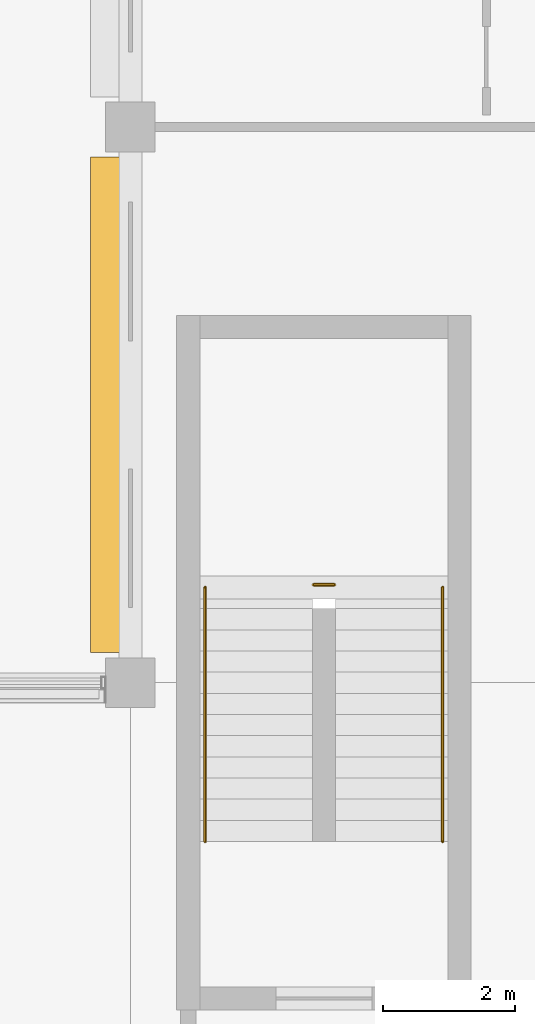
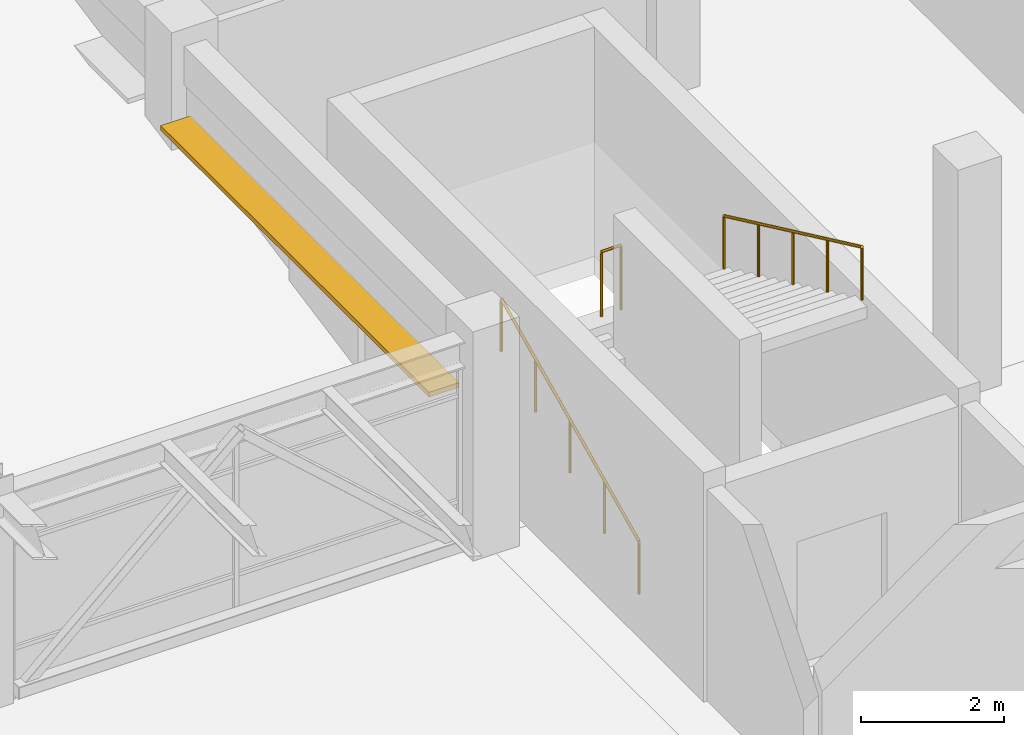
# One storey, part 68 of 72: 3 railings, 1 shading device.
"""IFC4 building model written with IfcOpenShell, lengths in metres."""

import ifcopenshell
import ifcopenshell.guid

model = None  # the IFC model being written
_history = None  # IfcOwnerHistory: only IFC2X3 demands one
_inside = {}  # id of a spatial element -> (the spatial element, [elements in it])
_under = {}  # id of a project, library or spatial element -> (it, [spatial elements below it])
_declared = {}  # id of a project -> (the project, [libraries it declares])
_typed = {}  # id of a type object -> (the type object, [elements of that type])
_made_of = {}  # id of a material, layer set ... -> (it, [elements and type objects made of it])


def new_model(schema):
    """Start an empty IFC model of exactly this schema.

    Asked for "IFC4X3", IfcOpenShell would pick the latest addendum, in which some entities
    have other attributes; the version numbers below select the first issue.
    IFC2X3 requires an IfcOwnerHistory on every rooted entity: one is made here for all.
    """
    global model, _history
    if schema == "IFC4X3":
        model = ifcopenshell.file(schema_version=(4, 3, 0, 0))
    else:
        model = ifcopenshell.file(schema=schema)
    _inside.clear()
    _under.clear()
    _declared.clear()
    _typed.clear()
    _made_of.clear()
    _history = None
    if model.schema == "IFC2X3":
        org = make("IfcOrganization", Name="unknown")
        user = make(
            "IfcPersonAndOrganization",
            ThePerson=make("IfcPerson", FamilyName="unknown"),
            TheOrganization=org,
        )
        app = make(
            "IfcApplication",
            ApplicationDeveloper=org,
            Version="unknown",
            ApplicationFullName="unknown",
            ApplicationIdentifier="unknown",
        )
        _history = make(
            "IfcOwnerHistory",
            OwningUser=user,
            OwningApplication=app,
            ChangeAction="ADDED",
            CreationDate=0,
        )
    return model


def make(cls, **values):
    """One entity of the class cls with the attributes given. An attribute that is None is left unset."""
    return model.create_entity(
        cls, **{name: value for name, value in values.items() if value is not None}
    )


def rooted(cls, **values):
    """An entity with a GlobalId (a new one), such as an element, a storey or a relation."""
    return make(cls, GlobalId=ifcopenshell.guid.new(), OwnerHistory=_history, **values)


def si_unit(unit_type, name, prefix=None):
    """IfcSIUnit, for example si_unit("LENGTHUNIT", "METRE", prefix="MILLI")."""
    return make("IfcSIUnit", UnitType=unit_type, Prefix=prefix, Name=name)


def assignment(units):
    """IfcUnitAssignment: the units of a project."""
    return None if units is None else make("IfcUnitAssignment", Units=units)


def point(xyz):
    """IfcCartesianPoint."""
    return None if xyz is None else make("IfcCartesianPoint", Coordinates=xyz)


def direction(xyz):
    """IfcDirection."""
    return None if xyz is None else make("IfcDirection", DirectionRatios=xyz)


def frame(location, z_axis=None, x_axis=None):
    """IfcAxis2Placement3D, a coordinate frame: its origin and axes. An axis left out is left unset."""
    return make(
        "IfcAxis2Placement3D",
        Location=point(location),
        Axis=direction(z_axis),
        RefDirection=direction(x_axis),
    )


def frame_2d(location, x_axis=None):
    """IfcAxis2Placement2D, a coordinate frame in the plane: its origin and x axis."""
    return make(
        "IfcAxis2Placement2D", Location=point(location), RefDirection=direction(x_axis)
    )


def origin():
    """The frame at (0, 0, 0) with its axes left unset."""
    return frame((0.0, 0.0, 0.0))


def origin_2d():
    """The frame at (0, 0) in the plane with its x axis left unset."""
    return frame_2d((0.0, 0.0))


def place(relative_to, where):
    """IfcLocalPlacement: puts the frame where relative to a parent placement (None: the world)."""
    return make(
        "IfcLocalPlacement", PlacementRelTo=relative_to, RelativePlacement=where
    )


def context(
    kind, dimensions, precision=None, world=None, true_north=None, identifier=None
):
    """IfcGeometricRepresentationContext, for example the 3D "Model" context."""
    return make(
        "IfcGeometricRepresentationContext",
        ContextIdentifier=identifier,
        ContextType=kind,
        CoordinateSpaceDimension=dimensions,
        Precision=precision,
        WorldCoordinateSystem=world,
        TrueNorth=true_north,
    )


def subcontext(parent, identifier, kind, view, scale=None):
    """IfcGeometricRepresentationSubContext, for example "Body" below "Model"."""
    return make(
        "IfcGeometricRepresentationSubContext",
        ContextIdentifier=identifier,
        ContextType=kind,
        ParentContext=parent,
        TargetScale=scale,
        TargetView=view,
    )


def project(units=None, contexts=None):
    """IfcProject with its units and contexts."""
    return rooted(
        "IfcProject",
        Name="project",
        RepresentationContexts=contexts,
        UnitsInContext=assignment(units),
    )


def spatial(cls, under=None, at=None, **own):
    """A site, building, storey or space (cls), placed at a placement, below another one or the project."""
    s = rooted(cls, ObjectPlacement=at, **own)
    if under is not None:
        _under.setdefault(under.id(), (under, []))[1].append(s)
    return s


def profile(cls, at=None, kind="AREA", **sizes):
    """A parametric profile (cls). Its sizes go by their IFC names, for example OverallWidth=200.0."""
    return make(cls, ProfileType=kind, Position=at, **sizes)


def rectangle(**sizes):
    """IfcRectangleProfileDef."""
    return profile("IfcRectangleProfileDef", **sizes)


def circle(**sizes):
    """IfcCircleProfileDef."""
    return profile("IfcCircleProfileDef", **sizes)


def extrude(swept, where, along, depth):
    """IfcExtrudedAreaSolid: the profile swept, set in the frame where, extruded along a direction by depth."""
    return make(
        "IfcExtrudedAreaSolid",
        SweptArea=swept,
        Position=where,
        ExtrudedDirection=direction(along),
        Depth=depth,
    )


def shape(context_of_items, identifier, shape_type, items):
    """IfcShapeRepresentation: the items that make up one representation, for example the "Body"."""
    return make(
        "IfcShapeRepresentation",
        ContextOfItems=context_of_items,
        RepresentationIdentifier=identifier,
        RepresentationType=shape_type,
        Items=items,
    )


def material(Name=None, Category=None):
    """IfcMaterial."""
    return make("IfcMaterial", Name=Name, Category=Category)


def layer(
    of_material, thickness, ventilated=None, Name=None, Category=None, Priority=None
):
    """IfcMaterialLayer: one layer of a wall or slab, of a material (None: an air gap)."""
    return make(
        "IfcMaterialLayer",
        Material=of_material,
        LayerThickness=thickness,
        IsVentilated=ventilated,
        Name=Name,
        Category=Category,
        Priority=Priority,
    )


def layer_set(layers, Name=None):
    """IfcMaterialLayerSet."""
    return make("IfcMaterialLayerSet", MaterialLayers=layers, LayerSetName=Name)


def made_of(thing, what):
    """Note that an element or type object is made of a material, layer set ...; save() writes the relation."""
    if what is not None:
        _made_of.setdefault(what.id(), (what, []))[1].append(thing)
    return thing


def type_object(cls, material=None, **own):
    """A type object (cls), such as IfcWallType, which elements share."""
    return made_of(rooted(cls, **own), material)


def element(
    cls,
    number,
    at=None,
    inside=None,
    cuts=None,
    type_object=None,
    material=None,
    context=None,
    identifier="Body",
    shape_type=None,
    held_by="IfcProductDefinitionShape",
    body=None,
    shapes=None,
    **own,
):
    """One element of the class cls, such as IfcWall. Its Tag is "e" and its number.

    at: its placement. inside: the storey or other place that contains it. cuts: it is an
    opening in that element (IfcRelVoidsElement). A single representation is given by context,
    identifier, shape_type and body (its items); several are given by shapes. held_by: the class
    of the entity that holds the representations. save() writes the other relations.
    """
    e = rooted(cls, Tag="e%d" % number, ObjectPlacement=at, **own)
    if body is not None:
        shapes = [shape(context, identifier, shape_type, body)]
    if shapes is not None:
        e.Representation = make(held_by, Representations=shapes)
    if inside is not None:
        _inside.setdefault(inside.id(), (inside, []))[1].append(e)
    if cuts is not None:
        rooted(
            "IfcRelVoidsElement", RelatingBuildingElement=cuts, RelatedOpeningElement=e
        )
    if type_object is not None:
        _typed.setdefault(type_object.id(), (type_object, []))[1].append(e)
    return made_of(e, material)


def aggregate(whole, parts):
    """IfcRelAggregates: a whole, such as a stair, and the parts it consists of."""
    return rooted("IfcRelAggregates", RelatingObject=whole, RelatedObjects=parts)


def save(model, path):
    """Write the relations noted so far, then the file.

    IfcRelAggregates (storeys below a building ...), IfcRelContainedInSpatialStructure (elements
    in a storey), IfcRelDefinesByType, IfcRelAssociatesMaterial and IfcRelDeclares: one each for
    every whole, place, type object, material and project.
    """
    for whole, parts in _under.values():
        aggregate(whole, parts)
    for where, things in _inside.values():
        rooted(
            "IfcRelContainedInSpatialStructure",
            RelatedElements=things,
            RelatingStructure=where,
        )
    for kind, things in _typed.values():
        rooted("IfcRelDefinesByType", RelatedObjects=things, RelatingType=kind)
    for what, things in _made_of.values():
        rooted("IfcRelAssociatesMaterial", RelatedObjects=things, RelatingMaterial=what)
    for by, libraries in _declared.values():
        rooted("IfcRelDeclares", RelatingContext=by, RelatedDefinitions=libraries)
    model.write(path)


model = new_model("IFC4")

# Units and contexts
model_context = context("Model", 3, precision=1e-05, world=origin(), true_north=direction((0.0, 1.0)))
body_context = subcontext(model_context, "Body", "Model", "MODEL_VIEW")
ifc_project = project(units=[si_unit("LENGTHUNIT", "METRE"), si_unit("AREAUNIT", "SQUARE_METRE"), si_unit("VOLUMEUNIT", "CUBIC_METRE"), si_unit("PLANEANGLEUNIT", "RADIAN"), si_unit("MASSUNIT", "GRAM", prefix="KILO"), si_unit("THERMODYNAMICTEMPERATUREUNIT", "KELVIN"), si_unit("POWERUNIT", "WATT")], contexts=[model_context])

# Site, building, storey
site_placement = place(None, origin())
site = spatial("IfcSite", under=ifc_project, at=site_placement, CompositionType="ELEMENT")
building_placement = place(site_placement, origin())
building = spatial("IfcBuilding", under=site, at=building_placement, Name="Srebrne Nadtorze General Hospital", CompositionType="ELEMENT")
storey_placement = place(building_placement, frame((0.0, 0.0, 22.199951171875)))
storey = spatial("IfcBuildingStorey", under=building, at=storey_placement, Name="L05", CompositionType="ELEMENT", Elevation=22.199951171875)

# Shading device
ifc_material_1 = material(Name="Anodised Aluminium", Category="aluminium")
ifc_layer = layer(ifc_material_1, 0.080078125)
ifc_layer_set = layer_set([ifc_layer], Name="Anodised Aluminium")
shading_device_type = type_object("IfcShadingDeviceType", Name="Hisashi horizontal aluminium sunshade", PredefinedType="JALOUSIE", material=ifc_layer_set)
shading_device_placement = place(storey_placement, frame((101.0400390625, 63.0, 2.3701171875), z_axis=(0.0, 0.0, 1.0), x_axis=(1.0, 0.0, 0.0)))
element("IfcShadingDevice", 1, at=shading_device_placement, inside=storey, type_object=shading_device_type, Name="Hisashi horizontal sunshade eave LV-336", PredefinedType="JALOUSIE", context=body_context, shape_type="SweptSolid", body=[
    extrude(rectangle(XDim=0.47998046875, YDim=7.489990234375, at=origin_2d()), origin(), (0.0, 0.0, 1.0), 0.080078125),
])

# Railings
ifc_material_2 = material(Name="Stainless Steel 316", Category="steel")
railing_type_1 = type_object("IfcRailingType", Name="Stairwell safety guard 1120", PredefinedType="BALUSTRADE", material=ifc_material_2)
railing_1_placement = place(storey_placement, frame((104.1650390625, 60.280029296875, 1.949951171875)))
element("IfcRailing", 2, at=railing_1_placement, inside=storey, type_object=railing_type_1, Name="Half landing well guard ST-03-L05", PredefinedType="BALUSTRADE", context=body_context, shape_type="SweptSolid", body=[
    extrude(circle(Radius=0.02392578125, at=origin_2d()), frame((0.0, 0.0, 1.09619140625), z_axis=(1.0, 0.0, 0.0), x_axis=(0.0, 1.0, 0.0)), (0.0, 0.0, 1.0), 0.320068359375),
    extrude(circle(Radius=0.02099609375, at=origin_2d()), origin(), (0.0, 0.0, 1.0), 1.072021484375),
    extrude(circle(Radius=0.02099609375, at=origin_2d()), frame((0.320068359375, 0.0, 0.0)), (0.0, 0.0, 1.0), 1.072021484375),
])
ifc_material_3 = material(Name="Stainless Steel 316", Category="steel")
railing_type_2 = type_object("IfcRailingType", Name="Tubular stainless handrail 920", PredefinedType="HANDRAIL", material=ifc_material_3)
railing_2_placement = place(storey_placement, frame((102.530029296875, 56.39990234375, 0.150146484375)))
element("IfcRailing", 3, at=railing_2_placement, inside=storey, type_object=railing_type_2, Name="Stair flight handrail ST-03-L05 F1", PredefinedType="HANDRAIL", context=body_context, shape_type="SweptSolid", body=[
    extrude(circle(Radius=0.02392578125, at=origin_2d()), frame((0.0, 0.0, 0.89599609375), z_axis=(0.0, 0.905480367088, 0.424388153485), x_axis=(-1.0, 0.0, 0.0)), (0.0, 0.0, 1.0), 4.240966796875),
    extrude(circle(Radius=0.02099609375, at=origin_2d()), origin(), (0.0, 0.0, 1.0), 0.871826171875),
    extrude(circle(Radius=0.02099609375, at=origin_2d()), frame((0.0, 0.9599609375, 0.449951171875)), (0.0, 0.0, 1.0), 0.871826171875),
    extrude(circle(Radius=0.02099609375, at=origin_2d()), frame((0.0, 1.919921875, 0.89990234375)), (0.0, 0.0, 1.0), 0.871826171875),
    extrude(circle(Radius=0.02099609375, at=origin_2d()), frame((0.0, 2.880126953125, 1.349853515625)), (0.0, 0.0, 1.0), 0.871826171875),
    extrude(circle(Radius=0.02099609375, at=origin_2d()), frame((0.0, 3.840087890625, 1.7998046875)), (0.0, 0.0, 1.0), 0.871826171875),
])
railing_3_placement = place(storey_placement, frame((106.1201171875, 60.239990234375, 2.10009765625)))
element("IfcRailing", 4, at=railing_3_placement, inside=storey, type_object=railing_type_2, Name="Stair flight handrail ST-03-L05 F2", PredefinedType="HANDRAIL", context=body_context, shape_type="SweptSolid", body=[
    extrude(circle(Radius=0.02392578125, at=origin_2d()), frame((0.0, 0.0, 0.89599609375), z_axis=(0.0, -0.905458244611, 0.424435351104), x_axis=(1.0, 0.0, 0.0)), (0.0, 0.0, 1.0), 4.240966796875),
    extrude(circle(Radius=0.02099609375, at=origin_2d()), origin(), (0.0, 0.0, 1.0), 0.871826171875),
    extrude(circle(Radius=0.02099609375, at=origin_2d()), frame((0.0, -0.9599609375, 0.449951171875)), (0.0, 0.0, 1.0), 0.871826171875),
    extrude(circle(Radius=0.02099609375, at=origin_2d()), frame((0.0, -1.919921875, 0.89990234375)), (0.0, 0.0, 1.0), 0.871826171875),
    extrude(circle(Radius=0.02099609375, at=origin_2d()), frame((0.0, -2.880126953125, 1.35009765625)), (0.0, 0.0, 1.0), 0.871826171875),
    extrude(circle(Radius=0.02099609375, at=origin_2d()), frame((0.0, -3.840087890625, 1.800048828125)), (0.0, 0.0, 1.0), 0.871826171875),
])

save(model, "model.ifc")
